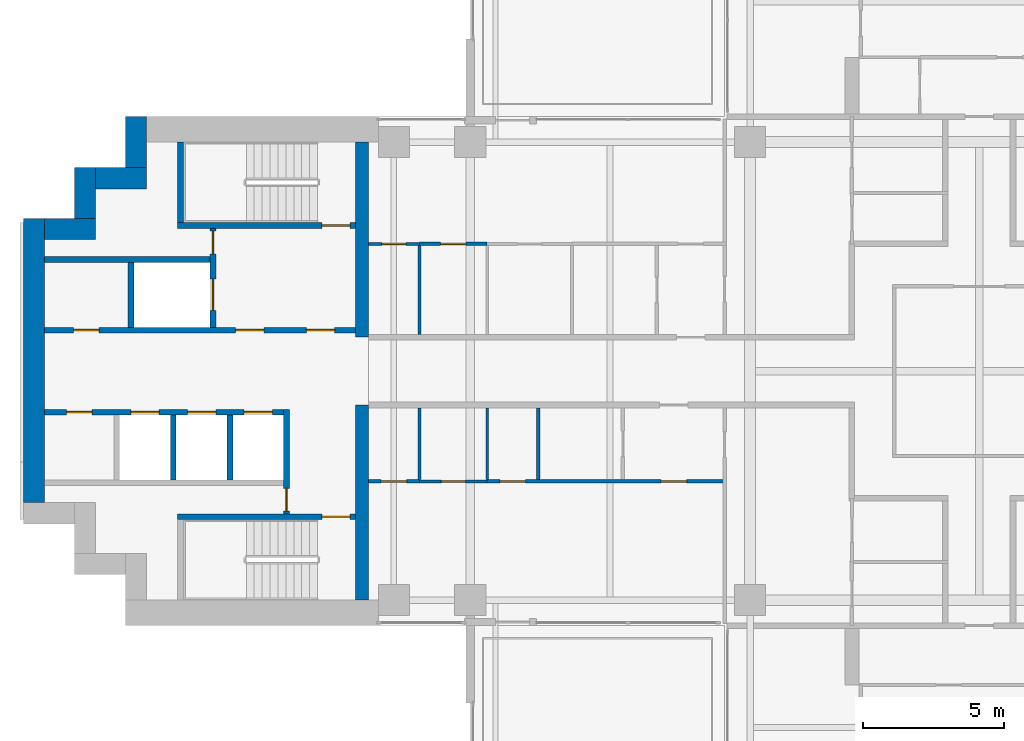
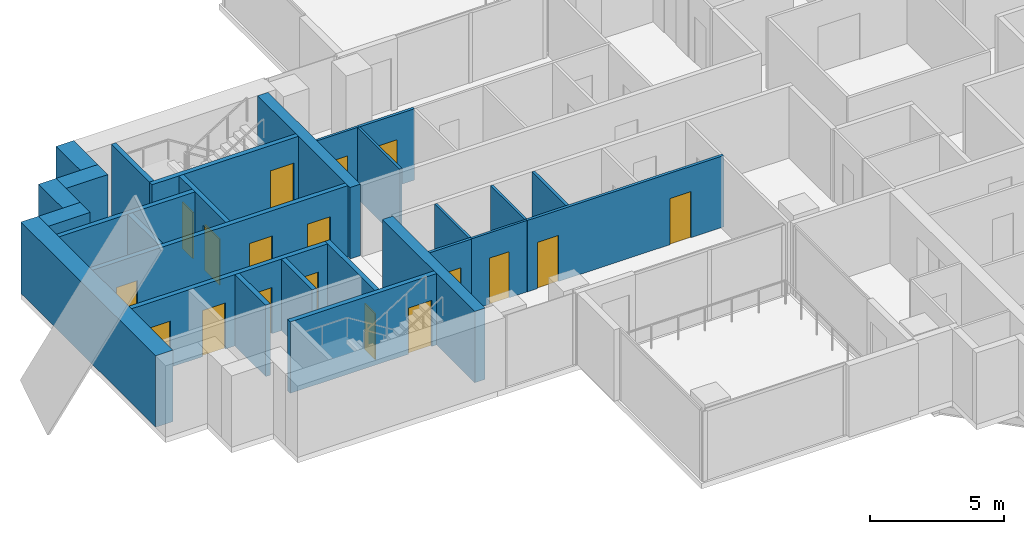
# One storey, part 9 of 18: 27 walls, 18 doors, 18 openings.
"""IFC4 building model written with IfcOpenShell, lengths in metres."""

from ifc_helpers import new_model, si_unit, direction, frame, frame_2d, origin, place, context, subcontext, project, spatial, rectangle, extrude, material, layer, layer_set, type_object, element, fill, save


model = new_model("IFC4")

# Units and contexts
model_context = context("Model", 3, precision=1e-05, world=origin(), true_north=direction((0.0, 1.0)))
body_context = subcontext(model_context, "Body", "Model", "MODEL_VIEW")
ifc_project = project(units=[si_unit("LENGTHUNIT", "METRE"), si_unit("AREAUNIT", "SQUARE_METRE"), si_unit("VOLUMEUNIT", "CUBIC_METRE"), si_unit("PLANEANGLEUNIT", "RADIAN"), si_unit("MASSUNIT", "GRAM", prefix="KILO")], contexts=[model_context])

# Site, building, storey
site_placement = place(None, origin())
site = spatial("IfcSite", under=ifc_project, at=site_placement, CompositionType="ELEMENT")
building_placement = place(site_placement, origin())
building = spatial("IfcBuilding", under=site, at=building_placement, Name="Perihelion Cross Residences", CompositionType="ELEMENT")
storey_placement = place(building_placement, frame((0.0, 0.0, 140.89990234375)))
storey = spatial("IfcBuildingStorey", under=building, at=storey_placement, Name="L34", CompositionType="ELEMENT", Elevation=140.89990234375)

# Walls
ifc_material_1 = material(Name="Concrete C60/75", Category="concrete")
ifc_layer_1 = layer(ifc_material_1, 0.449951171875)
ifc_layer_set_1 = layer_set([ifc_layer_1], Name="Core wall, inner 450")
wall_type_1 = type_object("IfcWallType", Name="Core wall, inner 450", PredefinedType="SHEAR", material=ifc_layer_set_1)
for number, where, z_axis, x_axis, name in (
    (1, (-21.824951171875, -8.10009765625, 0.0), (0.0, 0.0, 1.0), (0.0, 1.0, 0.0), "West core core wall, inner"),
    (2, (-21.824951171875, 1.199951171875, 0.0), (0.0, 0.0, 1.0), (0.0, 1.0, 0.0), "West core core wall, inner"),
):
    element("IfcWall", number, at=place(storey_placement, frame(where, z_axis=z_axis, x_axis=x_axis)), inside=storey, type_object=wall_type_1, Name=name, PredefinedType="SHEAR", context=body_context, shape_type="SweptSolid", body=[
        extrude(rectangle(XDim=6.900146484375, YDim=0.449951171875, at=frame_2d((3.4501953125, 0.0))), origin(), (0.0, 0.0, 1.0), 3.25),
    ])
ifc_material_2 = material(Name="Concrete C60/75", Category="concrete")
ifc_layer_2 = layer(ifc_material_2, 0.75)
ifc_layer_set_2 = layer_set([ifc_layer_2], Name="Core wall, outer 750")
wall_type_2 = type_object("IfcWallType", Name="Core wall, outer 750", PredefinedType="SHEAR", material=ifc_layer_set_2)
wall_1_placement = place(storey_placement, frame((-33.425048828125, -4.64990234375, 0.0), z_axis=(0.0, 0.0, 1.0), x_axis=(0.0, 1.0, 0.0)))
element("IfcWall", 3, at=wall_1_placement, inside=storey, type_object=wall_type_2, Name="West core core wall, outer", PredefinedType="SHEAR", context=body_context, shape_type="SweptSolid", body=[
    extrude(rectangle(XDim=10.0498046875, YDim=0.75, at=frame_2d((5.02490234375, 0.0))), origin(), (0.0, 0.0, 1.0), 3.25),
])
for number, where, z_axis, x_axis, name in (
    (4, (-33.050048828125, 5.02490234375, 0.0), (0.0, 0.0, 1.0), (1.0, 0.0, 0.0), "West core core wall, outer"),
    (5, (-31.625, 5.39990234375, 0.0), (0.0, 0.0, 1.0), (0.0, 1.0, 0.0), "West core core wall, outer"),
    (6, (-31.25, 6.824951171875, 0.0), (0.0, 0.0, 1.0), (1.0, 0.0, 0.0), "West core core wall, outer"),
    (7, (-29.824951171875, 7.199951171875, 0.0), (0.0, 0.0, 1.0), (0.0, 1.0, 0.0), "West core core wall, outer"),
):
    element("IfcWall", number, at=place(storey_placement, frame(where, z_axis=z_axis, x_axis=x_axis)), inside=storey, type_object=wall_type_2, Name=name, PredefinedType="SHEAR", context=body_context, shape_type="SweptSolid", body=[
        extrude(rectangle(XDim=1.800048828125, YDim=0.75, at=frame_2d((0.89990234375, 0.0))), origin(), (0.0, 0.0, 1.0), 3.25),
    ])

# Wall, opening, door
ifc_material_3 = material(Name="Concrete C50/60", Category="concrete")
ifc_layer_3 = layer(ifc_material_3, 0.199951171875)
ifc_layer_set_3 = layer_set([ifc_layer_3], Name="Lobby wall 200")
wall_type_3 = type_object("IfcWallType", Name="Lobby wall 200", PredefinedType="SOLIDWALL", material=ifc_layer_set_3)
wall_2_placement = place(storey_placement, frame((-24.5, -5.050048828125, 0.0), z_axis=(0.0, 0.0, 1.0), x_axis=(0.0, 1.0, 0.0)))
wall_2 = element("IfcWall", 8, at=wall_2_placement, inside=storey, type_object=wall_type_3, Name="West core lobby wall", PredefinedType="SOLIDWALL", context=body_context, shape_type="SweptSolid", body=[
    extrude(rectangle(XDim=3.699951171875, YDim=0.199951171875, at=frame_2d((1.85009765625, 0.0))), origin(), (0.0, 0.0, 1.0), 3.25),
])
opening_1_placement = place(wall_2_placement, frame((0.10009765625, 0.0, 0.0)))
opening_1 = element("IfcOpeningElement", 9, at=opening_1_placement, cuts=wall_2, Name="Opening L34.C20", PredefinedType="OPENING", context=body_context, shape_type="SweptSolid", body=[
    extrude(rectangle(XDim=0.800048828125, YDim=2.10009765625, at=frame_2d((0.39990234375, 1.050048828125))), frame((0.0, 0.10986328125, 0.0), z_axis=(0.0, -1.0, 0.0), x_axis=(1.0, 0.0, 0.0)), (0.0, 0.0, 1.0), 0.219970703125),
])
ifc_material_4 = material(Name="Steel, powder coated", Category="steel")
door_type_1 = type_object("IfcDoorType", Name="Riser door 800", OperationType="SINGLE_SWING_LEFT", PredefinedType="DOOR", material=ifc_material_4)
door_1_placement = place(opening_1_placement, origin())
door_1 = element("IfcDoor", 10, at=door_1_placement, inside=storey, type_object=door_type_1, Name="West core riser door", OperationType="SINGLE_SWING_LEFT", OverallHeight=2.10009765625, OverallWidth=0.800048828125, PredefinedType="DOOR", context=body_context, shape_type="SweptSolid", body=[
    extrude(rectangle(XDim=0.800048828125, YDim=2.10009765625, at=frame_2d((0.39990234375, 1.050048828125))), frame((0.0, 0.02490234375, 0.0), z_axis=(0.0, -1.0, 0.0), x_axis=(1.0, 0.0, 0.0)), (0.0, 0.0, 1.0), 0.050048828125),
])
fill(opening_1, door_1)

ifc_material_5 = material(Name="Plasterboard partition")
ifc_layer_4 = layer(ifc_material_5, 0.1201171875)
ifc_layer_set_4 = layer_set([ifc_layer_4], Name="Partition wall 120")
wall_type_4 = type_object("IfcWallType", Name="Partition wall 120", PredefinedType="PARTITIONING", material=ifc_layer_set_4)
wall_3_placement = place(storey_placement, frame((-19.800048828125, 4.5, 0.0), z_axis=(0.0, 0.0, 1.0), x_axis=(1.0, 0.0, 0.0)))
wall_3 = element("IfcWall", 11, at=wall_3_placement, inside=storey, type_object=wall_type_4, Name="Partition L34 W048", PredefinedType="PARTITIONING", context=body_context, shape_type="SweptSolid", body=[
    extrude(rectangle(XDim=2.400146484375, YDim=0.1201171875, at=frame_2d((1.2001953125, 0.0))), origin(), (0.0, 0.0, 1.0), 3.25),
])
opening_2_placement = place(wall_3_placement, frame((0.75, 0.0, 0.0)))
opening_2 = element("IfcOpeningElement", 12, at=opening_2_placement, cuts=wall_3, Name="Opening L34.A23", PredefinedType="OPENING", context=body_context, shape_type="SweptSolid", body=[
    extrude(rectangle(XDim=0.89990234375, YDim=2.10009765625, at=frame_2d((0.449951171875, 1.050048828125))), frame((0.0, 0.070068359375, 0.0), z_axis=(0.0, -1.0, 0.0), x_axis=(1.0, 0.0, 0.0)), (0.0, 0.0, 1.0), 0.14013671875),
])
ifc_material_6 = material(Name="Timber door leaf", Category="wood")
door_type_2 = type_object("IfcDoorType", Name="Interior room door 900 x 2100", OperationType="SINGLE_SWING_LEFT", PredefinedType="DOOR", material=ifc_material_6)
door_2_placement = place(opening_2_placement, origin())
door_2 = element("IfcDoor", 13, at=door_2_placement, inside=storey, type_object=door_type_2, Name="Door L34.A23", OperationType="SINGLE_SWING_LEFT", OverallHeight=2.10009765625, OverallWidth=0.89990234375, PredefinedType="DOOR", context=body_context, shape_type="SweptSolid", body=[
    extrude(rectangle(XDim=0.89990234375, YDim=2.10009765625, at=frame_2d((0.449951171875, 1.050048828125))), frame((0.0, 0.02490234375, 0.0), z_axis=(0.0, -1.0, 0.0), x_axis=(1.0, 0.0, 0.0)), (0.0, 0.0, 1.0), 0.050048828125),
])
fill(opening_2, door_2)

# Wall, openings, doors
wall_4_placement = place(storey_placement, frame((-8.93994140625, -3.89990234375, 0.0), z_axis=(0.0, 0.0, 1.0), x_axis=(-1.0, 0.0, 0.0)))
wall_4 = element("IfcWall", 14, at=wall_4_placement, inside=storey, type_object=wall_type_4, Name="Partition L34 W054", PredefinedType="PARTITIONING", context=body_context, shape_type="SweptSolid", body=[
    extrude(rectangle(XDim=8.4599609375, YDim=0.1201171875, at=frame_2d((4.22998046875, 0.0))), origin(), (0.0, 0.0, 1.0), 3.25),
])
opening_3_placement = place(wall_4_placement, frame((7.110107421875, 0.0, 0.0)))
opening_3 = element("IfcOpeningElement", 15, at=opening_3_placement, cuts=wall_4, Name="Opening L34.A27", PredefinedType="OPENING", context=body_context, shape_type="SweptSolid", body=[
    extrude(rectangle(XDim=0.89990234375, YDim=2.10009765625, at=frame_2d((0.449951171875, 1.050048828125))), frame((0.0, 0.070068359375, 0.0), z_axis=(0.0, -1.0, 0.0), x_axis=(1.0, 0.0, 0.0)), (0.0, 0.0, 1.0), 0.14013671875),
])
opening_4_placement = place(wall_4_placement, frame((1.409912109375, 0.0, 0.0)))
opening_4 = element("IfcOpeningElement", 16, at=opening_4_placement, cuts=wall_4, Name="Opening L34.A31", PredefinedType="OPENING", context=body_context, shape_type="SweptSolid", body=[
    extrude(rectangle(XDim=0.89990234375, YDim=2.10009765625, at=frame_2d((0.449951171875, 1.050048828125))), frame((0.0, 0.070068359375, 0.0), z_axis=(0.0, -1.0, 0.0), x_axis=(1.0, 0.0, 0.0)), (0.0, 0.0, 1.0), 0.14013671875),
])
door_3_placement = place(opening_3_placement, origin())
door_3 = element("IfcDoor", 17, at=door_3_placement, inside=storey, type_object=door_type_2, Name="Door L34.A27", OperationType="SINGLE_SWING_RIGHT", OverallHeight=2.10009765625, OverallWidth=0.89990234375, PredefinedType="DOOR", context=body_context, shape_type="SweptSolid", body=[
    extrude(rectangle(XDim=0.89990234375, YDim=2.10009765625, at=frame_2d((0.449951171875, 1.050048828125))), frame((0.0, 0.02490234375, 0.0), z_axis=(0.0, -1.0, 0.0), x_axis=(1.0, 0.0, 0.0)), (0.0, 0.0, 1.0), 0.050048828125),
])
fill(opening_3, door_3)
door_4_placement = place(opening_4_placement, origin())
door_4 = element("IfcDoor", 18, at=door_4_placement, inside=storey, type_object=door_type_2, Name="Door L34.A31", OperationType="SINGLE_SWING_RIGHT", OverallHeight=2.10009765625, OverallWidth=0.89990234375, PredefinedType="DOOR", context=body_context, shape_type="SweptSolid", body=[
    extrude(rectangle(XDim=0.89990234375, YDim=2.10009765625, at=frame_2d((0.449951171875, 1.050048828125))), frame((0.0, 0.02490234375, 0.0), z_axis=(0.0, -1.0, 0.0), x_axis=(1.0, 0.0, 0.0)), (0.0, 0.0, 1.0), 0.050048828125),
])
fill(opening_4, door_4)

# Wall
wall_5_placement = place(storey_placement, frame((-15.60009765625, -3.840087890625, 0.0), z_axis=(0.0, 0.0, 1.0), x_axis=(0.0, 1.0, 0.0)))
element("IfcWall", 19, at=wall_5_placement, inside=storey, type_object=wall_type_4, Name="Partition L34 W056", PredefinedType="PARTITIONING", context=body_context, shape_type="SweptSolid", body=[
    extrude(rectangle(XDim=2.5400390625, YDim=0.1201171875, at=frame_2d((1.27001953125, 0.0))), origin(), (0.0, 0.0, 1.0), 3.25),
])

# Wall, opening, door
wall_6_placement = place(storey_placement, frame((-19.800048828125, -3.89990234375, 0.0), z_axis=(0.0, 0.0, 1.0), x_axis=(-1.0, 0.0, 0.0)))
wall_6 = element("IfcWall", 20, at=wall_6_placement, inside=storey, type_object=wall_type_4, Name="Partition L34 W060", PredefinedType="PARTITIONING", context=body_context, shape_type="SweptSolid", body=[
    extrude(rectangle(XDim=1.800048828125, YDim=0.1201171875, at=frame_2d((0.89990234375, 0.0))), origin(), (0.0, 0.0, 1.0), 3.25),
])
opening_5_placement = place(wall_6_placement, frame((0.449951171875, 0.0, 0.0)))
opening_5 = element("IfcOpeningElement", 21, at=opening_5_placement, cuts=wall_6, Name="Opening L34.A25", PredefinedType="OPENING", context=body_context, shape_type="SweptSolid", body=[
    extrude(rectangle(XDim=0.89990234375, YDim=2.10009765625, at=frame_2d((0.449951171875, 1.050048828125))), frame((0.0, 0.070068359375, 0.0), z_axis=(0.0, -1.0, 0.0), x_axis=(1.0, 0.0, 0.0)), (0.0, 0.0, 1.0), 0.14013671875),
])
door_5_placement = place(opening_5_placement, origin())
door_5 = element("IfcDoor", 22, at=door_5_placement, inside=storey, type_object=door_type_2, Name="Door L34.A25", OperationType="SINGLE_SWING_RIGHT", OverallHeight=2.10009765625, OverallWidth=0.89990234375, PredefinedType="DOOR", context=body_context, shape_type="SweptSolid", body=[
    extrude(rectangle(XDim=0.89990234375, YDim=2.10009765625, at=frame_2d((0.449951171875, 1.050048828125))), frame((0.0, 0.02490234375, 0.0), z_axis=(0.0, -1.0, 0.0), x_axis=(1.0, 0.0, 0.0)), (0.0, 0.0, 1.0), 0.050048828125),
])
fill(opening_5, door_5)

# Wall, openings, doors
ifc_material_7 = material(Name="Concrete C50/60", Category="concrete")
ifc_layer_5 = layer(ifc_material_7, 0.199951171875)
ifc_layer_set_5 = layer_set([ifc_layer_5], Name="Shaft wall 200")
wall_type_5 = type_object("IfcWallType", Name="Shaft wall 200", PredefinedType="SOLIDWALL", material=ifc_layer_set_5)
wall_7_placement = place(storey_placement, frame((-33.050048828125, 1.449951171875, 0.0), z_axis=(0.0, 0.0, 1.0), x_axis=(1.0, 0.0, 0.0)))
wall_7 = element("IfcWall", 23, at=wall_7_placement, inside=storey, type_object=wall_type_5, Name="West core shaft wall", PredefinedType="SOLIDWALL", context=body_context, shape_type="SweptSolid", body=[
    extrude(rectangle(XDim=11.0, YDim=0.199951171875, at=frame_2d((5.5, 0.0))), origin(), (0.0, 0.0, 1.0), 3.25),
])
opening_6_placement = place(wall_7_placement, frame((9.25, 0.0, 0.0)))
opening_6 = element("IfcOpeningElement", 24, at=opening_6_placement, cuts=wall_7, Name="Opening L34.C19", PredefinedType="OPENING", context=body_context, shape_type="SweptSolid", body=[
    extrude(rectangle(XDim=1.0, YDim=2.10009765625, at=frame_2d((0.5, 1.050048828125))), frame((0.0, 0.10986328125, 0.0), z_axis=(0.0, -1.0, 0.0), x_axis=(1.0, 0.0, 0.0)), (0.0, 0.0, 1.0), 0.219970703125),
])
opening_7_placement = place(wall_7_placement, frame((6.75, 0.0, 0.0)))
opening_7 = element("IfcOpeningElement", 25, at=opening_7_placement, cuts=wall_7, Name="Opening L34.C21", PredefinedType="OPENING", context=body_context, shape_type="SweptSolid", body=[
    extrude(rectangle(XDim=1.0, YDim=2.10009765625, at=frame_2d((0.5, 1.050048828125))), frame((0.0, 0.10986328125, 0.0), z_axis=(0.0, -1.0, 0.0), x_axis=(1.0, 0.0, 0.0)), (0.0, 0.0, 1.0), 0.219970703125),
])
opening_8_placement = place(wall_7_placement, frame((1.02490234375, 0.0, 0.0)))
opening_8 = element("IfcOpeningElement", 26, at=opening_8_placement, cuts=wall_7, Name="Opening L34.C23", PredefinedType="OPENING", context=body_context, shape_type="SweptSolid", body=[
    extrude(rectangle(XDim=0.89990234375, YDim=2.10009765625, at=frame_2d((0.449951171875, 1.050048828125))), frame((0.0, 0.10986328125, 0.0), z_axis=(0.0, -1.0, 0.0), x_axis=(1.0, 0.0, 0.0)), (0.0, 0.0, 1.0), 0.219970703125),
])
ifc_material_8 = material(Name="Steel, powder coated", Category="steel")
door_type_3 = type_object("IfcDoorType", Name="Lobby door 1000", OperationType="SINGLE_SWING_LEFT", PredefinedType="DOOR", material=ifc_material_8)
door_6_placement = place(opening_6_placement, origin())
door_6 = element("IfcDoor", 27, at=door_6_placement, inside=storey, type_object=door_type_3, Name="West core firefighting lobby door", OperationType="SINGLE_SWING_LEFT", OverallHeight=2.10009765625, OverallWidth=1.0, PredefinedType="DOOR", context=body_context, shape_type="SweptSolid", body=[
    extrude(rectangle(XDim=1.0, YDim=2.10009765625, at=frame_2d((0.5, 1.050048828125))), frame((0.0, 0.02490234375, 0.0), z_axis=(0.0, -1.0, 0.0), x_axis=(1.0, 0.0, 0.0)), (0.0, 0.0, 1.0), 0.050048828125),
])
fill(opening_6, door_6)
door_7_placement = place(opening_7_placement, origin())
door_7 = element("IfcDoor", 28, at=door_7_placement, inside=storey, type_object=door_type_3, Name="West core firefighting lobby door", OperationType="SINGLE_SWING_LEFT", OverallHeight=2.10009765625, OverallWidth=1.0, PredefinedType="DOOR", context=body_context, shape_type="SweptSolid", body=[
    extrude(rectangle(XDim=1.0, YDim=2.10009765625, at=frame_2d((0.5, 1.050048828125))), frame((0.0, 0.02490234375, 0.0), z_axis=(0.0, -1.0, 0.0), x_axis=(1.0, 0.0, 0.0)), (0.0, 0.0, 1.0), 0.050048828125),
])
fill(opening_7, door_7)
ifc_material_9 = material(Name="Steel, powder coated", Category="steel")
door_type_4 = type_object("IfcDoorType", Name="Service room door 900", OperationType="SINGLE_SWING_LEFT", PredefinedType="DOOR", material=ifc_material_9)
door_8_placement = place(opening_8_placement, origin())
door_8 = element("IfcDoor", 29, at=door_8_placement, inside=storey, type_object=door_type_4, Name="West core service room door", OperationType="SINGLE_SWING_LEFT", OverallHeight=2.10009765625, OverallWidth=0.89990234375, PredefinedType="DOOR", context=body_context, shape_type="SweptSolid", body=[
    extrude(rectangle(XDim=0.89990234375, YDim=2.10009765625, at=frame_2d((0.449951171875, 1.050048828125))), frame((0.0, 0.02490234375, 0.0), z_axis=(0.0, -1.0, 0.0), x_axis=(1.0, 0.0, 0.0)), (0.0, 0.0, 1.0), 0.050048828125),
])
fill(opening_8, door_8)

wall_8_placement = place(storey_placement, frame((-33.050048828125, -1.449951171875, 0.0), z_axis=(0.0, 0.0, 1.0), x_axis=(1.0, 0.0, 0.0)))
wall_8 = element("IfcWall", 30, at=wall_8_placement, inside=storey, type_object=wall_type_5, Name="West core shaft wall", PredefinedType="SOLIDWALL", context=body_context, shape_type="SweptSolid", body=[
    extrude(rectangle(XDim=8.449951171875, YDim=0.199951171875, at=frame_2d((4.22509765625, 0.0))), origin(), (0.0, 0.0, 1.0), 3.25),
])
opening_9_placement = place(wall_8_placement, frame((7.050048828125, 0.0, 0.0)))
opening_9 = element("IfcOpeningElement", 31, at=opening_9_placement, cuts=wall_8, Name="Opening L34.C13", PredefinedType="OPENING", context=body_context, shape_type="SweptSolid", body=[
    extrude(rectangle(XDim=1.0, YDim=2.10009765625, at=frame_2d((0.5, 1.050048828125))), frame((0.0, 0.10986328125, 0.0), z_axis=(0.0, -1.0, 0.0), x_axis=(1.0, 0.0, 0.0)), (0.0, 0.0, 1.0), 0.219970703125),
])
opening_10_placement = place(wall_8_placement, frame((5.050048828125, 0.0, 0.0)))
opening_10 = element("IfcOpeningElement", 32, at=opening_10_placement, cuts=wall_8, Name="Opening L34.C15", PredefinedType="OPENING", context=body_context, shape_type="SweptSolid", body=[
    extrude(rectangle(XDim=1.0, YDim=2.10009765625, at=frame_2d((0.5, 1.050048828125))), frame((0.0, 0.10986328125, 0.0), z_axis=(0.0, -1.0, 0.0), x_axis=(1.0, 0.0, 0.0)), (0.0, 0.0, 1.0), 0.219970703125),
])
opening_11_placement = place(wall_8_placement, frame((3.050048828125, 0.0, 0.0)))
opening_11 = element("IfcOpeningElement", 33, at=opening_11_placement, cuts=wall_8, Name="Opening L34.C16", PredefinedType="OPENING", context=body_context, shape_type="SweptSolid", body=[
    extrude(rectangle(XDim=1.0, YDim=2.10009765625, at=frame_2d((0.5, 1.050048828125))), frame((0.0, 0.10986328125, 0.0), z_axis=(0.0, -1.0, 0.0), x_axis=(1.0, 0.0, 0.0)), (0.0, 0.0, 1.0), 0.219970703125),
])
opening_12_placement = place(wall_8_placement, frame((0.77490234375, 0.0, 0.0)))
opening_12 = element("IfcOpeningElement", 34, at=opening_12_placement, cuts=wall_8, Name="Opening L34.C24", PredefinedType="OPENING", context=body_context, shape_type="SweptSolid", body=[
    extrude(rectangle(XDim=0.89990234375, YDim=2.10009765625, at=frame_2d((0.449951171875, 1.050048828125))), frame((0.0, 0.10986328125, 0.0), z_axis=(0.0, -1.0, 0.0), x_axis=(1.0, 0.0, 0.0)), (0.0, 0.0, 1.0), 0.219970703125),
])
ifc_material_10 = material(Name="Stainless steel", Category="steel")
door_type_5 = type_object("IfcDoorType", Name="Landing door 1000", OperationType="DOUBLE_DOOR_SLIDING", PredefinedType="DOOR", material=ifc_material_10)
door_9_placement = place(opening_9_placement, origin())
door_9 = element("IfcDoor", 35, at=door_9_placement, inside=storey, type_object=door_type_5, Name="Landing door, West core high-rise lift 1", OperationType="DOUBLE_DOOR_SLIDING", OverallHeight=2.10009765625, OverallWidth=1.0, PredefinedType="DOOR", context=body_context, shape_type="SweptSolid", body=[
    extrude(rectangle(XDim=1.0, YDim=2.10009765625, at=frame_2d((0.5, 1.050048828125))), frame((0.0, 0.02490234375, 0.0), z_axis=(0.0, -1.0, 0.0), x_axis=(1.0, 0.0, 0.0)), (0.0, 0.0, 1.0), 0.050048828125),
])
fill(opening_9, door_9)
door_10_placement = place(opening_10_placement, origin())
door_10 = element("IfcDoor", 36, at=door_10_placement, inside=storey, type_object=door_type_5, Name="Landing door, West core high-rise lift 2", OperationType="DOUBLE_DOOR_SLIDING", OverallHeight=2.10009765625, OverallWidth=1.0, PredefinedType="DOOR", context=body_context, shape_type="SweptSolid", body=[
    extrude(rectangle(XDim=1.0, YDim=2.10009765625, at=frame_2d((0.5, 1.050048828125))), frame((0.0, 0.02490234375, 0.0), z_axis=(0.0, -1.0, 0.0), x_axis=(1.0, 0.0, 0.0)), (0.0, 0.0, 1.0), 0.050048828125),
])
fill(opening_10, door_10)
door_11_placement = place(opening_11_placement, origin())
door_11 = element("IfcDoor", 37, at=door_11_placement, inside=storey, type_object=door_type_5, Name="Landing door, West core high-rise lift 3", OperationType="DOUBLE_DOOR_SLIDING", OverallHeight=2.10009765625, OverallWidth=1.0, PredefinedType="DOOR", context=body_context, shape_type="SweptSolid", body=[
    extrude(rectangle(XDim=1.0, YDim=2.10009765625, at=frame_2d((0.5, 1.050048828125))), frame((0.0, 0.02490234375, 0.0), z_axis=(0.0, -1.0, 0.0), x_axis=(1.0, 0.0, 0.0)), (0.0, 0.0, 1.0), 0.050048828125),
])
fill(opening_11, door_11)
door_12_placement = place(opening_12_placement, origin())
door_12 = element("IfcDoor", 38, at=door_12_placement, inside=storey, type_object=door_type_4, Name="West core service room door", OperationType="SINGLE_SWING_LEFT", OverallHeight=2.10009765625, OverallWidth=0.89990234375, PredefinedType="DOOR", context=body_context, shape_type="SweptSolid", body=[
    extrude(rectangle(XDim=0.89990234375, YDim=2.10009765625, at=frame_2d((0.449951171875, 1.050048828125))), frame((0.0, 0.02490234375, 0.0), z_axis=(0.0, -1.0, 0.0), x_axis=(1.0, 0.0, 0.0)), (0.0, 0.0, 1.0), 0.050048828125),
])
fill(opening_12, door_12)

# Wall
wall_9_placement = place(storey_placement, frame((-33.050048828125, 3.949951171875, 0.0), z_axis=(0.0, 0.0, 1.0), x_axis=(1.0, 0.0, 0.0)))
element("IfcWall", 39, at=wall_9_placement, inside=storey, type_object=wall_type_5, Name="West core shaft wall", PredefinedType="SOLIDWALL", context=body_context, shape_type="SweptSolid", body=[
    extrude(rectangle(XDim=5.85009765625, YDim=0.199951171875, at=frame_2d((2.925048828125, 0.0))), origin(), (0.0, 0.0, 1.0), 3.25),
])

# Wall, openings, doors
wall_10_placement = place(storey_placement, frame((-27.10009765625, 1.550048828125, 0.0), z_axis=(0.0, 0.0, 1.0), x_axis=(0.0, 1.0, 0.0)))
wall_10 = element("IfcWall", 40, at=wall_10_placement, inside=storey, type_object=wall_type_5, Name="West core shaft wall", PredefinedType="SOLIDWALL", context=body_context, shape_type="SweptSolid", body=[
    extrude(rectangle(XDim=3.5, YDim=0.199951171875, at=frame_2d((1.75, 0.0))), origin(), (0.0, 0.0, 1.0), 3.25),
])
opening_13_placement = place(wall_10_placement, frame((0.60009765625, 0.0, 0.0)))
opening_13 = element("IfcOpeningElement", 41, at=opening_13_placement, cuts=wall_10, Name="Opening L34.C14", PredefinedType="OPENING", context=body_context, shape_type="SweptSolid", body=[
    extrude(rectangle(XDim=1.10009765625, YDim=2.10009765625, at=frame_2d((0.550048828125, 1.050048828125))), frame((0.0, 0.10986328125, 0.0), z_axis=(0.0, -1.0, 0.0), x_axis=(1.0, 0.0, 0.0)), (0.0, 0.0, 1.0), 0.219970703125),
])
opening_14_placement = place(wall_10_placement, frame((2.60009765625, 0.0, 0.0)))
opening_14 = element("IfcOpeningElement", 42, at=opening_14_placement, cuts=wall_10, Name="Opening L34.C22", PredefinedType="OPENING", context=body_context, shape_type="SweptSolid", body=[
    extrude(rectangle(XDim=0.800048828125, YDim=2.10009765625, at=frame_2d((0.39990234375, 1.050048828125))), frame((0.0, 0.10986328125, 0.0), z_axis=(0.0, -1.0, 0.0), x_axis=(1.0, 0.0, 0.0)), (0.0, 0.0, 1.0), 0.219970703125),
])
ifc_material_11 = material(Name="Stainless steel", Category="steel")
door_type_6 = type_object("IfcDoorType", Name="Landing door, firefighting lift 1100", OperationType="DOUBLE_DOOR_SLIDING", PredefinedType="DOOR", material=ifc_material_11)
door_13_placement = place(opening_13_placement, origin())
door_13 = element("IfcDoor", 43, at=door_13_placement, inside=storey, type_object=door_type_6, Name="Landing door, West core firefighting and service lift", OperationType="DOUBLE_DOOR_SLIDING", OverallHeight=2.10009765625, OverallWidth=1.10009765625, PredefinedType="DOOR", context=body_context, shape_type="SweptSolid", body=[
    extrude(rectangle(XDim=1.10009765625, YDim=2.10009765625, at=frame_2d((0.550048828125, 1.050048828125))), frame((0.0, 0.02490234375, 0.0), z_axis=(0.0, -1.0, 0.0), x_axis=(1.0, 0.0, 0.0)), (0.0, 0.0, 1.0), 0.050048828125),
])
fill(opening_13, door_13)
door_14_placement = place(opening_14_placement, origin())
door_14 = element("IfcDoor", 44, at=door_14_placement, inside=storey, type_object=door_type_1, Name="West core riser door", OperationType="SINGLE_SWING_LEFT", OverallHeight=2.10009765625, OverallWidth=0.800048828125, PredefinedType="DOOR", context=body_context, shape_type="SweptSolid", body=[
    extrude(rectangle(XDim=0.800048828125, YDim=2.10009765625, at=frame_2d((0.39990234375, 1.050048828125))), frame((0.0, 0.02490234375, 0.0), z_axis=(0.0, -1.0, 0.0), x_axis=(1.0, 0.0, 0.0)), (0.0, 0.0, 1.0), 0.050048828125),
])
fill(opening_14, door_14)

# Walls
for number, where, z_axis, x_axis, name in (
    (45, (-30.0, 1.550048828125, 0.0), (0.0, 0.0, 1.0), (0.0, 1.0, 0.0), "West core shaft wall"),
    (46, (-26.5, -3.85009765625, 0.0), (0.0, 0.0, 1.0), (0.0, 1.0, 0.0), "West core shaft wall"),
    (47, (-28.5, -3.85009765625, 0.0), (0.0, 0.0, 1.0), (0.0, 1.0, 0.0), "West core shaft wall"),
):
    element("IfcWall", number, at=place(storey_placement, frame(where, z_axis=z_axis, x_axis=x_axis)), inside=storey, type_object=wall_type_5, Name=name, PredefinedType="SOLIDWALL", context=body_context, shape_type="SweptSolid", body=[
        extrude(rectangle(XDim=2.300048828125, YDim=0.199951171875, at=frame_2d((1.14990234375, 0.0))), origin(), (0.0, 0.0, 1.0), 3.25),
    ])

# Wall, opening, door
ifc_material_12 = material(Name="Concrete C50/60", Category="concrete")
ifc_layer_6 = layer(ifc_material_12, 0.199951171875)
ifc_layer_set_6 = layer_set([ifc_layer_6], Name="Stair wall 200")
wall_type_6 = type_object("IfcWallType", Name="Stair wall 200", PredefinedType="SOLIDWALL", material=ifc_layer_set_6)
wall_11_placement = place(storey_placement, frame((-28.35009765625, 5.14990234375, 0.0), z_axis=(0.0, 0.0, 1.0), x_axis=(1.0, 0.0, 0.0)))
wall_11 = element("IfcWall", 48, at=wall_11_placement, inside=storey, type_object=wall_type_6, Name="West core stair wall", PredefinedType="SOLIDWALL", context=body_context, shape_type="SweptSolid", body=[
    extrude(rectangle(XDim=6.300048828125, YDim=0.199951171875, at=frame_2d((3.14990234375, 0.0))), origin(), (0.0, 0.0, 1.0), 3.25),
])
opening_15_placement = place(wall_11_placement, frame((5.10009765625, 0.0, 0.0)))
opening_15 = element("IfcOpeningElement", 49, at=opening_15_placement, cuts=wall_11, Name="Opening L34.C18", PredefinedType="OPENING", context=body_context, shape_type="SweptSolid", body=[
    extrude(rectangle(XDim=1.0, YDim=2.10009765625, at=frame_2d((0.5, 1.050048828125))), frame((0.0, 0.10986328125, 0.0), z_axis=(0.0, -1.0, 0.0), x_axis=(1.0, 0.0, 0.0)), (0.0, 0.0, 1.0), 0.219970703125),
])
ifc_material_13 = material(Name="Steel, powder coated", Category="steel")
door_type_7 = type_object("IfcDoorType", Name="Stair door 1000", OperationType="SINGLE_SWING_LEFT", PredefinedType="DOOR", material=ifc_material_13)
door_15_placement = place(opening_15_placement, origin())
door_15 = element("IfcDoor", 50, at=door_15_placement, inside=storey, type_object=door_type_7, Name="West core stair door", OperationType="SINGLE_SWING_LEFT", OverallHeight=2.10009765625, OverallWidth=1.0, PredefinedType="DOOR", context=body_context, shape_type="SweptSolid", body=[
    extrude(rectangle(XDim=1.0, YDim=2.10009765625, at=frame_2d((0.5, 1.050048828125))), frame((0.0, 0.02490234375, 0.0), z_axis=(0.0, -1.0, 0.0), x_axis=(1.0, 0.0, 0.0)), (0.0, 0.0, 1.0), 0.050048828125),
])
fill(opening_15, door_15)

wall_12_placement = place(storey_placement, frame((-28.35009765625, -5.14990234375, 0.0), z_axis=(0.0, 0.0, 1.0), x_axis=(1.0, 0.0, 0.0)))
wall_12 = element("IfcWall", 51, at=wall_12_placement, inside=storey, type_object=wall_type_6, Name="West core stair wall", PredefinedType="SOLIDWALL", context=body_context, shape_type="SweptSolid", body=[
    extrude(rectangle(XDim=6.300048828125, YDim=0.199951171875, at=frame_2d((3.14990234375, 0.0))), origin(), (0.0, 0.0, 1.0), 3.25),
])
opening_16_placement = place(wall_12_placement, frame((5.10009765625, 0.0, 0.0)))
opening_16 = element("IfcOpeningElement", 52, at=opening_16_placement, cuts=wall_12, Name="Opening L34.C17", PredefinedType="OPENING", context=body_context, shape_type="SweptSolid", body=[
    extrude(rectangle(XDim=1.0, YDim=2.10009765625, at=frame_2d((0.5, 1.050048828125))), frame((0.0, 0.10986328125, 0.0), z_axis=(0.0, -1.0, 0.0), x_axis=(1.0, 0.0, 0.0)), (0.0, 0.0, 1.0), 0.219970703125),
])
door_16_placement = place(opening_16_placement, origin())
door_16 = element("IfcDoor", 53, at=door_16_placement, inside=storey, type_object=door_type_7, Name="West core stair door", OperationType="SINGLE_SWING_LEFT", OverallHeight=2.10009765625, OverallWidth=1.0, PredefinedType="DOOR", context=body_context, shape_type="SweptSolid", body=[
    extrude(rectangle(XDim=1.0, YDim=2.10009765625, at=frame_2d((0.5, 1.050048828125))), frame((0.0, 0.02490234375, 0.0), z_axis=(0.0, -1.0, 0.0), x_axis=(1.0, 0.0, 0.0)), (0.0, 0.0, 1.0), 0.050048828125),
])
fill(opening_16, door_16)

# Walls
wall_13_placement = place(storey_placement, frame((-28.25, 5.25, 0.0), z_axis=(0.0, 0.0, 1.0), x_axis=(0.0, 1.0, 0.0)))
element("IfcWall", 54, at=wall_13_placement, inside=storey, type_object=wall_type_6, Name="West core stair wall", PredefinedType="SOLIDWALL", context=body_context, shape_type="SweptSolid", body=[
    extrude(rectangle(XDim=2.85009765625, YDim=0.199951171875, at=frame_2d((1.425048828125, 0.0))), origin(), (0.0, 0.0, 1.0), 3.25),
])
ifc_material_14 = material(Name="Plasterboard partition")
ifc_layer_7 = layer(ifc_material_14, 0.10009765625)
ifc_layer_set_7 = layer_set([ifc_layer_7], Name="Wet room wall 100")
wall_type_7 = type_object("IfcWallType", Name="Wet room wall 100", PredefinedType="PARTITIONING", material=ifc_layer_set_7)
wall_14_placement = place(storey_placement, frame((-19.800048828125, 1.300048828125, 0.0), z_axis=(0.0, 0.0, 1.0), x_axis=(0.0, 1.0, 0.0)))
element("IfcWall", 55, at=wall_14_placement, inside=storey, type_object=wall_type_7, Name="Partition L34 W047", PredefinedType="PARTITIONING", context=body_context, shape_type="SweptSolid", body=[
    extrude(rectangle(XDim=3.139892578125, YDim=0.10009765625, at=frame_2d((1.56982421875, 0.0))), origin(), (0.0, 0.0, 1.0), 3.25),
])

# Wall, opening, door
wall_15_placement = place(storey_placement, frame((-21.60009765625, 4.5, 0.0), z_axis=(0.0, 0.0, 1.0), x_axis=(1.0, 0.0, 0.0)))
wall_15 = element("IfcWall", 56, at=wall_15_placement, inside=storey, type_object=wall_type_7, Name="Partition L34 W049", PredefinedType="PARTITIONING", context=body_context, shape_type="SweptSolid", body=[
    extrude(rectangle(XDim=1.800048828125, YDim=0.10009765625, at=frame_2d((0.89990234375, 0.0))), origin(), (0.0, 0.0, 1.0), 3.25),
])
opening_17_placement = place(wall_15_placement, frame((0.47509765625, 0.0, 0.0)))
opening_17 = element("IfcOpeningElement", 57, at=opening_17_placement, cuts=wall_15, Name="Opening L34.A21", PredefinedType="OPENING", context=body_context, shape_type="SweptSolid", body=[
    extrude(rectangle(XDim=0.85009765625, YDim=2.10009765625, at=frame_2d((0.425048828125, 1.050048828125))), frame((0.0, 0.06005859375, 0.0), z_axis=(0.0, -1.0, 0.0), x_axis=(1.0, 0.0, 0.0)), (0.0, 0.0, 1.0), 0.1201171875),
])
ifc_material_15 = material(Name="Timber door leaf", Category="wood")
door_type_8 = type_object("IfcDoorType", Name="Interior bathroom door 850 x 2100", OperationType="SINGLE_SWING_LEFT", PredefinedType="DOOR", material=ifc_material_15)
door_17_placement = place(opening_17_placement, origin())
door_17 = element("IfcDoor", 58, at=door_17_placement, inside=storey, type_object=door_type_8, Name="Door L34.A21", OperationType="SINGLE_SWING_LEFT", OverallHeight=2.10009765625, OverallWidth=0.85009765625, PredefinedType="DOOR", context=body_context, shape_type="SweptSolid", body=[
    extrude(rectangle(XDim=0.85009765625, YDim=2.10009765625, at=frame_2d((0.425048828125, 1.050048828125))), frame((0.0, 0.02490234375, 0.0), z_axis=(0.0, -1.0, 0.0), x_axis=(1.0, 0.0, 0.0)), (0.0, 0.0, 1.0), 0.050048828125),
])
fill(opening_17, door_17)

# Walls
for number, where, z_axis, x_axis, name in (
    (59, (-17.39990234375, -3.840087890625, 0.0), (0.0, 0.0, 1.0), (0.0, 1.0, 0.0), "Partition L34 W057"),
    (60, (-19.800048828125, -3.840087890625, 0.0), (0.0, 0.0, 1.0), (0.0, 1.0, 0.0), "Partition L34 W058"),
):
    element("IfcWall", number, at=place(storey_placement, frame(where, z_axis=z_axis, x_axis=x_axis)), inside=storey, type_object=wall_type_7, Name=name, PredefinedType="PARTITIONING", context=body_context, shape_type="SweptSolid", body=[
        extrude(rectangle(XDim=2.5400390625, YDim=0.10009765625, at=frame_2d((1.27001953125, 0.0))), origin(), (0.0, 0.0, 1.0), 3.25),
    ])

# Wall, opening, door
wall_16_placement = place(storey_placement, frame((-17.39990234375, -3.89990234375, 0.0), z_axis=(0.0, 0.0, 1.0), x_axis=(-1.0, 0.0, 0.0)))
wall_16 = element("IfcWall", 61, at=wall_16_placement, inside=storey, type_object=wall_type_7, Name="Partition L34 W059", PredefinedType="PARTITIONING", context=body_context, shape_type="SweptSolid", body=[
    extrude(rectangle(XDim=2.400146484375, YDim=0.10009765625, at=frame_2d((1.2001953125, 0.0))), origin(), (0.0, 0.0, 1.0), 3.25),
])
opening_18_placement = place(wall_16_placement, frame((0.77490234375, 0.0, 0.0)))
opening_18 = element("IfcOpeningElement", 62, at=opening_18_placement, cuts=wall_16, Name="Opening L34.A24", PredefinedType="OPENING", context=body_context, shape_type="SweptSolid", body=[
    extrude(rectangle(XDim=0.85009765625, YDim=2.10009765625, at=frame_2d((0.425048828125, 1.050048828125))), frame((0.0, 0.06005859375, 0.0), z_axis=(0.0, -1.0, 0.0), x_axis=(1.0, 0.0, 0.0)), (0.0, 0.0, 1.0), 0.1201171875),
])
door_18_placement = place(opening_18_placement, origin())
door_18 = element("IfcDoor", 63, at=door_18_placement, inside=storey, type_object=door_type_8, Name="Door L34.A24", OperationType="SINGLE_SWING_RIGHT", OverallHeight=2.10009765625, OverallWidth=0.85009765625, PredefinedType="DOOR", context=body_context, shape_type="SweptSolid", body=[
    extrude(rectangle(XDim=0.85009765625, YDim=2.10009765625, at=frame_2d((0.425048828125, 1.050048828125))), frame((0.0, 0.02490234375, 0.0), z_axis=(0.0, -1.0, 0.0), x_axis=(1.0, 0.0, 0.0)), (0.0, 0.0, 1.0), 0.050048828125),
])
fill(opening_18, door_18)

save(model, "model.ifc")
